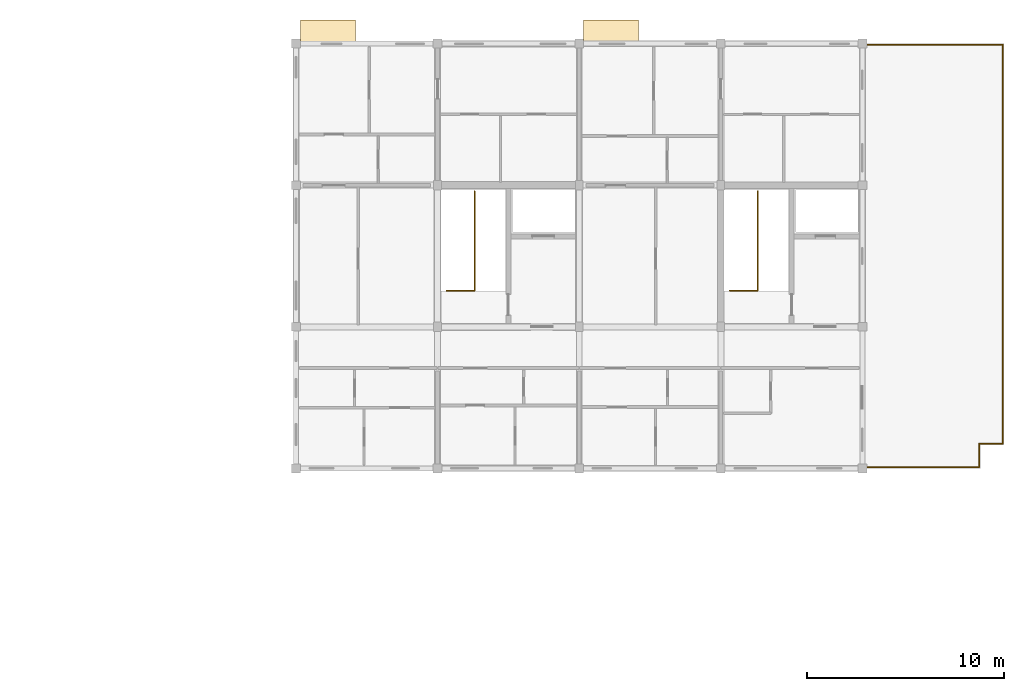
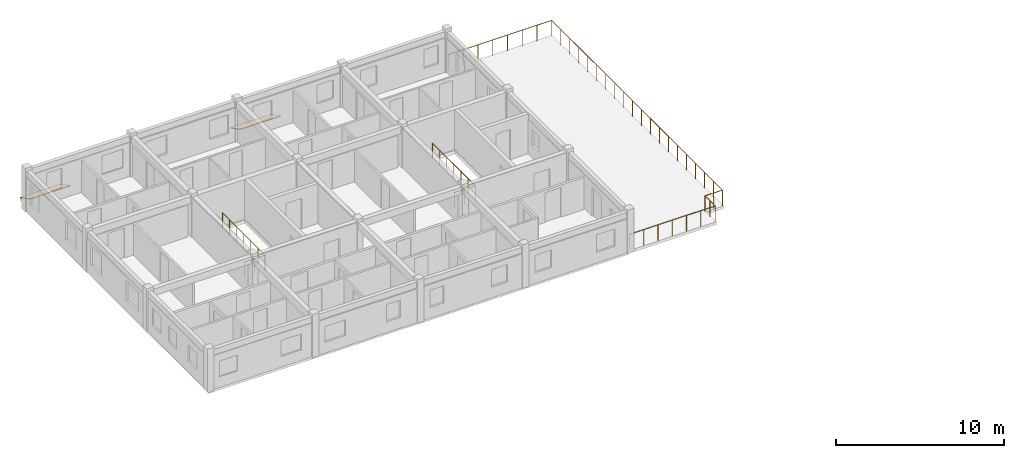
# One storey, part 23 of 23: 3 railings, 2 coverings.
"""IFC4 building model written with IfcOpenShell, lengths in metres."""

from ifc_helpers import new_model, si_unit, direction, frame, origin, origin_2d, place, context, subcontext, project, spatial, polyline, circle, outline, extrude, material, layer, layer_set, type_object, element, save


model = new_model("IFC4")

# Units and contexts
model_context = context("Model", 3, precision=1e-05, world=origin(), true_north=direction((0.0, 1.0)))
body_context = subcontext(model_context, "Body", "Model", "MODEL_VIEW")
ifc_project = project(units=[si_unit("LENGTHUNIT", "METRE"), si_unit("AREAUNIT", "SQUARE_METRE"), si_unit("VOLUMEUNIT", "CUBIC_METRE"), si_unit("PLANEANGLEUNIT", "RADIAN"), si_unit("MASSUNIT", "GRAM", prefix="KILO"), si_unit("THERMODYNAMICTEMPERATUREUNIT", "KELVIN"), si_unit("POWERUNIT", "WATT")], contexts=[model_context])

# Site, building, storey
site_placement = place(None, origin())
site = spatial("IfcSite", under=ifc_project, at=site_placement, CompositionType="ELEMENT")
building_placement = place(site_placement, origin())
building = spatial("IfcBuilding", under=site, at=building_placement, Name="Tavuni Mirador Residences", CompositionType="ELEMENT")
storey_placement = place(building_placement, frame((0.0, 0.0, 42.300048828125)))
storey = spatial("IfcBuildingStorey", under=building, at=storey_placement, Name="L13", CompositionType="ELEMENT", Elevation=42.300048828125)

# Coverings
ifc_material_1 = material(Name="Glazed ceramic roof tile", Category="masonry")
ifc_layer = layer(ifc_material_1, 0.044921875, Name="Glazed ceramic roof tile", Category="masonry")
ifc_layer_set = layer_set([ifc_layer], Name="Glazed ceramic roof tile")
covering_type = type_object("IfcCoveringType", Name="CVT-ROOF-TILE", PredefinedType="ROOFING", material=ifc_layer_set)
for number, where, z_axis, x_axis, name in (
    (1, (18.22509765625, 172.800048828125, 0.6650390625), (0.0, 0.45910327143, 0.88838290515), (1.0, 0.0, 0.0), "COV-RF-MIR-C-N1"),
    (2, (32.625, 172.800048828125, 0.6650390625), (0.0, 0.45910327143, 0.88838290515), (1.0, 0.0, 0.0), "COV-RF-MIR-C-N2"),
):
    element("IfcCovering", number, at=place(storey_placement, frame(where, z_axis=z_axis, x_axis=x_axis)), inside=storey, type_object=covering_type, Name=name, PredefinedType="ROOFING", context=body_context, shape_type="SweptSolid", body=[
        extrude(outline(polyline([(0.0, 0.0), (2.794921875, 0.0), (2.794921875, 1.3507139375593544), (0.0, 1.3507139375593544), (0.0, 0.0)])), origin(), (0.0, 0.0, -1.0), 0.044921875),
    ])

# Railings
ifc_material_2 = material(Name="Structural steel S355", Category="steel")
railing_type_1 = type_object("IfcRailingType", Name="RT-BL1150", PredefinedType="BALUSTRADE", material=ifc_material_2)
railing_1_placement = place(storey_placement, frame((46.860107421875, 151.260009765625, 0.0)))
element("IfcRailing", 3, at=railing_1_placement, inside=storey, type_object=railing_type_1, Name="Terrace guard TER-C-L13", PredefinedType="BALUSTRADE", context=body_context, shape_type="SweptSolid", body=[
    extrude(circle(Radius=0.02392578125, at=origin_2d()), frame((0.0, 0.0, 1.1259765625), z_axis=(1.0, 0.0, 0.0), x_axis=(0.0, 1.0, 0.0)), (0.0, 0.0, 1.0), 5.8798828125),
    extrude(circle(Radius=0.02392578125, at=origin_2d()), frame((5.8798828125, 0.0, 1.1259765625), z_axis=(0.0, 1.0, 0.0), x_axis=(-1.0, 0.0, 0.0)), (0.0, 0.0, 1.0), 1.199951171875),
    extrude(circle(Radius=0.02392578125, at=origin_2d()), frame((5.8798828125, 1.199951171875, 1.1259765625), z_axis=(1.0, 0.0, 0.0), x_axis=(0.0, 1.0, 0.0)), (0.0, 0.0, 1.0), 1.199951171875),
    extrude(circle(Radius=0.02392578125, at=origin_2d()), frame((7.079833984375, 1.199951171875, 1.1259765625), z_axis=(0.0, 1.0, 0.0), x_axis=(-1.0, 0.0, 0.0)), (0.0, 0.0, 1.0), 20.280029296875),
    extrude(circle(Radius=0.02392578125, at=origin_2d()), frame((7.079833984375, 21.47998046875, 1.1259765625), z_axis=(-1.0, 0.0, 0.0), x_axis=(0.0, -1.0, 0.0)), (0.0, 0.0, 1.0), 7.079833984375),
    extrude(circle(Radius=0.02099609375, at=origin_2d()), origin(), (0.0, 0.0, 1.0), 1.101806640625),
    extrude(circle(Radius=0.02099609375, at=origin_2d()), frame((0.97998046875, 0.0, 0.0)), (0.0, 0.0, 1.0), 1.101806640625),
    extrude(circle(Radius=0.02099609375, at=origin_2d()), frame((1.9599609375, 0.0, 0.0)), (0.0, 0.0, 1.0), 1.101806640625),
    extrude(circle(Radius=0.02099609375, at=origin_2d()), frame((2.93994140625, 0.0, 0.0)), (0.0, 0.0, 1.0), 1.101806640625),
    extrude(circle(Radius=0.02099609375, at=origin_2d()), frame((3.919921875, 0.0, 0.0)), (0.0, 0.0, 1.0), 1.101806640625),
    extrude(circle(Radius=0.02099609375, at=origin_2d()), frame((4.89990234375, 0.0, 0.0)), (0.0, 0.0, 1.0), 1.101806640625),
    extrude(circle(Radius=0.02099609375, at=origin_2d()), frame((5.8798828125, 0.0, 0.0)), (0.0, 0.0, 1.0), 1.101806640625),
    extrude(circle(Radius=0.02099609375, at=origin_2d()), frame((5.8798828125, 0.60009765625, 0.0)), (0.0, 0.0, 1.0), 1.101806640625),
    extrude(circle(Radius=0.02099609375, at=origin_2d()), frame((5.8798828125, 1.199951171875, 0.0)), (0.0, 0.0, 1.0), 1.101806640625),
    extrude(circle(Radius=0.02099609375, at=origin_2d()), frame((6.47998046875, 1.199951171875, 0.0)), (0.0, 0.0, 1.0), 1.101806640625),
    extrude(circle(Radius=0.02099609375, at=origin_2d()), frame((7.079833984375, 1.199951171875, 0.0)), (0.0, 0.0, 1.0), 1.101806640625),
    extrude(circle(Radius=0.02099609375, at=origin_2d()), frame((7.079833984375, 2.267333984375, 0.0)), (0.0, 0.0, 1.0), 1.101806640625),
    extrude(circle(Radius=0.02099609375, at=origin_2d()), frame((7.079833984375, 3.334716796875, 0.0)), (0.0, 0.0, 1.0), 1.101806640625),
    extrude(circle(Radius=0.02099609375, at=origin_2d()), frame((7.079833984375, 4.402099609375, 0.0)), (0.0, 0.0, 1.0), 1.101806640625),
    extrude(circle(Radius=0.02099609375, at=origin_2d()), frame((7.079833984375, 5.469482421875, 0.0)), (0.0, 0.0, 1.0), 1.101806640625),
    extrude(circle(Radius=0.02099609375, at=origin_2d()), frame((7.079833984375, 6.536865234375, 0.0)), (0.0, 0.0, 1.0), 1.101806640625),
    extrude(circle(Radius=0.02099609375, at=origin_2d()), frame((7.079833984375, 7.604248046875, 0.0)), (0.0, 0.0, 1.0), 1.101806640625),
    extrude(circle(Radius=0.02099609375, at=origin_2d()), frame((7.079833984375, 8.671630859375, 0.0)), (0.0, 0.0, 1.0), 1.101806640625),
    extrude(circle(Radius=0.02099609375, at=origin_2d()), frame((7.079833984375, 9.739013671875, 0.0)), (0.0, 0.0, 1.0), 1.101806640625),
    extrude(circle(Radius=0.02099609375, at=origin_2d()), frame((7.079833984375, 10.806396484375, 0.0)), (0.0, 0.0, 1.0), 1.101806640625),
    extrude(circle(Radius=0.02099609375, at=origin_2d()), frame((7.079833984375, 11.87353515625, 0.0)), (0.0, 0.0, 1.0), 1.101806640625),
    extrude(circle(Radius=0.02099609375, at=origin_2d()), frame((7.079833984375, 12.94091796875, 0.0)), (0.0, 0.0, 1.0), 1.101806640625),
    extrude(circle(Radius=0.02099609375, at=origin_2d()), frame((7.079833984375, 14.00830078125, 0.0)), (0.0, 0.0, 1.0), 1.101806640625),
    extrude(circle(Radius=0.02099609375, at=origin_2d()), frame((7.079833984375, 15.07568359375, 0.0)), (0.0, 0.0, 1.0), 1.101806640625),
    extrude(circle(Radius=0.02099609375, at=origin_2d()), frame((7.079833984375, 16.14306640625, 0.0)), (0.0, 0.0, 1.0), 1.101806640625),
    extrude(circle(Radius=0.02099609375, at=origin_2d()), frame((7.079833984375, 17.21044921875, 0.0)), (0.0, 0.0, 1.0), 1.101806640625),
    extrude(circle(Radius=0.02099609375, at=origin_2d()), frame((7.079833984375, 18.27783203125, 0.0)), (0.0, 0.0, 1.0), 1.101806640625),
    extrude(circle(Radius=0.02099609375, at=origin_2d()), frame((7.079833984375, 19.34521484375, 0.0)), (0.0, 0.0, 1.0), 1.101806640625),
    extrude(circle(Radius=0.02099609375, at=origin_2d()), frame((7.079833984375, 20.41259765625, 0.0)), (0.0, 0.0, 1.0), 1.101806640625),
    extrude(circle(Radius=0.02099609375, at=origin_2d()), frame((7.079833984375, 21.47998046875, 0.0)), (0.0, 0.0, 1.0), 1.101806640625),
    extrude(circle(Radius=0.02099609375, at=origin_2d()), frame((6.068359375, 21.47998046875, 0.0)), (0.0, 0.0, 1.0), 1.101806640625),
    extrude(circle(Radius=0.02099609375, at=origin_2d()), frame((5.05712890625, 21.47998046875, 0.0)), (0.0, 0.0, 1.0), 1.101806640625),
    extrude(circle(Radius=0.02099609375, at=origin_2d()), frame((4.045654296875, 21.47998046875, 0.0)), (0.0, 0.0, 1.0), 1.101806640625),
    extrude(circle(Radius=0.02099609375, at=origin_2d()), frame((3.0341796875, 21.47998046875, 0.0)), (0.0, 0.0, 1.0), 1.101806640625),
    extrude(circle(Radius=0.02099609375, at=origin_2d()), frame((2.022705078125, 21.47998046875, 0.0)), (0.0, 0.0, 1.0), 1.101806640625),
    extrude(circle(Radius=0.02099609375, at=origin_2d()), frame((1.011474609375, 21.47998046875, 0.0)), (0.0, 0.0, 1.0), 1.101806640625),
    extrude(circle(Radius=0.02099609375, at=origin_2d()), frame((0.0, 21.47998046875, 0.0)), (0.0, 0.0, 1.0), 1.101806640625),
])
railing_type_2 = type_object("IfcRailingType", Name="RT-GR1120", PredefinedType="GUARDRAIL", material=ifc_material_2)
railing_2_placement = place(storey_placement, frame((25.64990234375, 160.239990234375, 0.0)))
element("IfcRailing", 4, at=railing_2_placement, inside=storey, type_object=railing_type_2, Name="GRD-TOP-ST5", PredefinedType="GUARDRAIL", context=body_context, shape_type="SweptSolid", body=[
    extrude(circle(Radius=0.02392578125, at=origin_2d()), frame((0.0, 0.0, 1.09619140625), z_axis=(1.0, 0.0, 0.0), x_axis=(0.0, 1.0, 0.0)), (0.0, 0.0, 1.0), 1.43017578125),
    extrude(circle(Radius=0.02392578125, at=origin_2d()), frame((1.43017578125, 0.0, 1.09619140625), z_axis=(0.0, 1.0, 0.0), x_axis=(-1.0, 0.0, 0.0)), (0.0, 0.0, 1.0), 5.06005859375),
    extrude(circle(Radius=0.02099609375, at=origin_2d()), origin(), (0.0, 0.0, 1.0), 1.072021484375),
    extrude(circle(Radius=0.02099609375, at=origin_2d()), frame((0.715087890625, 0.0, 0.0)), (0.0, 0.0, 1.0), 1.072021484375),
    extrude(circle(Radius=0.02099609375, at=origin_2d()), frame((1.43017578125, 0.0, 0.0)), (0.0, 0.0, 1.0), 1.072021484375),
    extrude(circle(Radius=0.02099609375, at=origin_2d()), frame((1.43017578125, 0.84326171875, 0.0)), (0.0, 0.0, 1.0), 1.072021484375),
    extrude(circle(Radius=0.02099609375, at=origin_2d()), frame((1.43017578125, 1.686767578125, 0.0)), (0.0, 0.0, 1.0), 1.072021484375),
    extrude(circle(Radius=0.02099609375, at=origin_2d()), frame((1.43017578125, 2.530029296875, 0.0)), (0.0, 0.0, 1.0), 1.072021484375),
    extrude(circle(Radius=0.02099609375, at=origin_2d()), frame((1.43017578125, 3.373291015625, 0.0)), (0.0, 0.0, 1.0), 1.072021484375),
    extrude(circle(Radius=0.02099609375, at=origin_2d()), frame((1.43017578125, 4.216796875, 0.0)), (0.0, 0.0, 1.0), 1.072021484375),
    extrude(circle(Radius=0.02099609375, at=origin_2d()), frame((1.43017578125, 5.06005859375, 0.0)), (0.0, 0.0, 1.0), 1.072021484375),
])
railing_3_placement = place(storey_placement, frame((40.050048828125, 160.239990234375, 0.0)))
element("IfcRailing", 5, at=railing_3_placement, inside=storey, type_object=railing_type_2, Name="GRD-TOP-ST6", PredefinedType="GUARDRAIL", context=body_context, shape_type="SweptSolid", body=[
    extrude(circle(Radius=0.02392578125, at=origin_2d()), frame((0.0, 0.0, 1.09619140625), z_axis=(1.0, 0.0, 0.0), x_axis=(0.0, 1.0, 0.0)), (0.0, 0.0, 1.0), 1.429931640625),
    extrude(circle(Radius=0.02392578125, at=origin_2d()), frame((1.429931640625, 0.0, 1.09619140625), z_axis=(0.0, 1.0, 0.0), x_axis=(-1.0, 0.0, 0.0)), (0.0, 0.0, 1.0), 5.06005859375),
    extrude(circle(Radius=0.02099609375, at=origin_2d()), origin(), (0.0, 0.0, 1.0), 1.072021484375),
    extrude(circle(Radius=0.02099609375, at=origin_2d()), frame((0.71484375, 0.0, 0.0)), (0.0, 0.0, 1.0), 1.072021484375),
    extrude(circle(Radius=0.02099609375, at=origin_2d()), frame((1.429931640625, 0.0, 0.0)), (0.0, 0.0, 1.0), 1.072021484375),
    extrude(circle(Radius=0.02099609375, at=origin_2d()), frame((1.429931640625, 0.84326171875, 0.0)), (0.0, 0.0, 1.0), 1.072021484375),
    extrude(circle(Radius=0.02099609375, at=origin_2d()), frame((1.429931640625, 1.686767578125, 0.0)), (0.0, 0.0, 1.0), 1.072021484375),
    extrude(circle(Radius=0.02099609375, at=origin_2d()), frame((1.429931640625, 2.530029296875, 0.0)), (0.0, 0.0, 1.0), 1.072021484375),
    extrude(circle(Radius=0.02099609375, at=origin_2d()), frame((1.429931640625, 3.373291015625, 0.0)), (0.0, 0.0, 1.0), 1.072021484375),
    extrude(circle(Radius=0.02099609375, at=origin_2d()), frame((1.429931640625, 4.216796875, 0.0)), (0.0, 0.0, 1.0), 1.072021484375),
    extrude(circle(Radius=0.02099609375, at=origin_2d()), frame((1.429931640625, 5.06005859375, 0.0)), (0.0, 0.0, 1.0), 1.072021484375),
])

save(model, "model.ifc")
